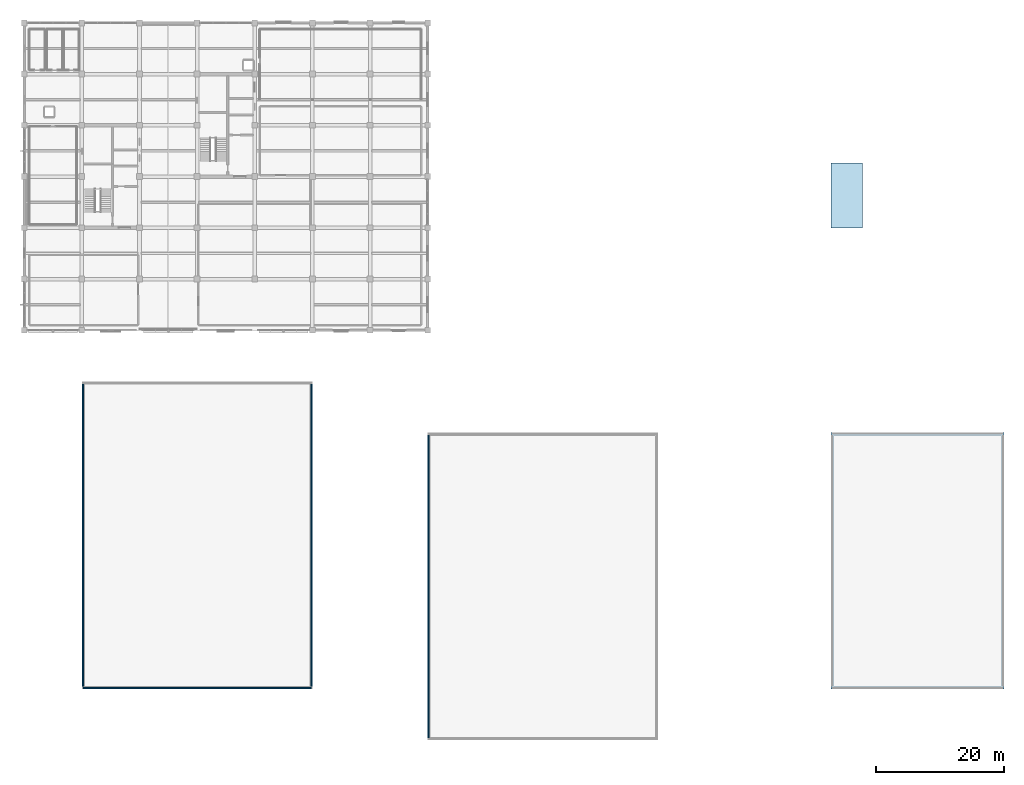
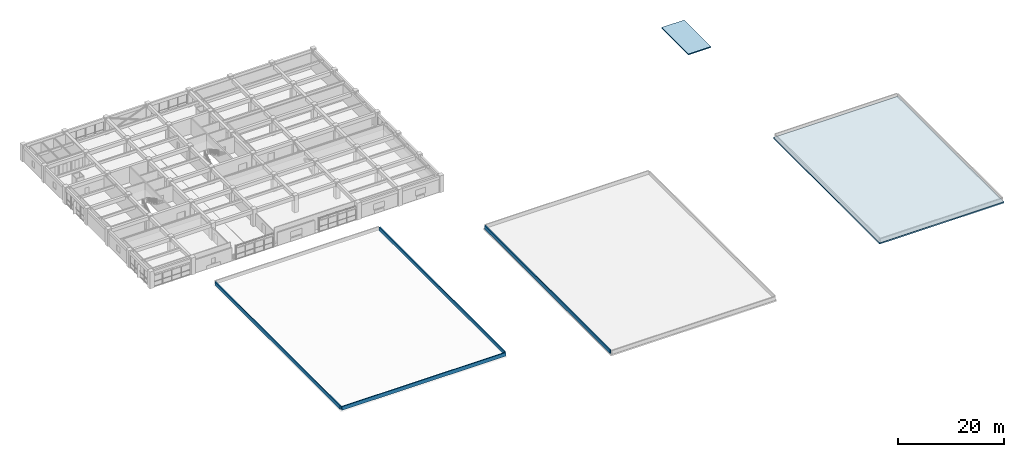
# One storey, part 13 of 23: 4 walls, 2 slabs.
"""IFC4 building model written with IfcOpenShell, lengths in metres."""

from ifc_helpers import new_model, si_unit, direction, frame, frame_2d, origin, place, context, subcontext, project, spatial, polyline, rectangle, outline, extrude, material, layer, layer_set, type_object, element, save


model = new_model("IFC4")

# Units and contexts
model_context = context("Model", 3, precision=1e-05, world=origin(), true_north=direction((0.0, 1.0)))
body_context = subcontext(model_context, "Body", "Model", "MODEL_VIEW")
ifc_project = project(units=[si_unit("LENGTHUNIT", "METRE"), si_unit("AREAUNIT", "SQUARE_METRE"), si_unit("VOLUMEUNIT", "CUBIC_METRE"), si_unit("PLANEANGLEUNIT", "RADIAN"), si_unit("MASSUNIT", "GRAM", prefix="KILO")], contexts=[model_context])

# Site, building, storey
site_placement = place(None, origin())
site = spatial("IfcSite", under=ifc_project, at=site_placement, CompositionType="ELEMENT")
building_placement = place(site_placement, origin())
building = spatial("IfcBuilding", under=site, at=building_placement, Name="Zaverband Oceanarium and Marine Research Institute", CompositionType="ELEMENT")
storey_placement = place(building_placement, frame((0.0, 0.0, 21.89990234375)))
storey = spatial("IfcBuildingStorey", under=building, at=storey_placement, Name="L05", CompositionType="ELEMENT", Elevation=21.89990234375)

# Slabs
ifc_material = material(Name="Concrete C40/50", Category="concrete")
ifc_layer_1 = layer(ifc_material, 0.219970703125, Name="Concrete C40/50")
ifc_layer_set_1 = layer_set([ifc_layer_1], Name="Concrete C40/50")
slab_type_1 = type_object("IfcSlabType", Name="SLB-CAP-220", PredefinedType="FLOOR", material=ifc_layer_set_1)
slab_1_placement = place(storey_placement, frame((0.0, 0.0, -0.52001953125)))
element("IfcSlab", 1, at=slab_1_placement, inside=storey, type_object=slab_type_1, Name="Overrun cap deck slab SLB-CAP-220", PredefinedType="FLOOR", context=body_context, shape_type="SweptSolid", body=[
    extrude(outline(polyline([(135.0, 80.0), (139.89990234375, 80.0), (139.89990234375, 90.10009765625), (135.0, 90.10009765625), (135.0, 80.0)])), origin(), (0.0, 0.0, 1.0), 0.22021484375),
])
ifc_layer_2 = layer(ifc_material, 0.300048828125, Name="Concrete C40/50")
ifc_layer_set_2 = layer_set([ifc_layer_2], Name="Concrete C40/50")
slab_type_2 = type_object("IfcSlabType", Name="SLB-ROOF-300", PredefinedType="ROOF", material=ifc_layer_set_2)
slab_2_placement = place(storey_placement, frame((0.0, 0.0, -0.2998046875)))
element("IfcSlab", 2, at=slab_2_placement, inside=storey, type_object=slab_type_2, Name="Roof deck slab SLB-ROOF-300", PredefinedType="ROOF", context=body_context, shape_type="SweptSolid", body=[
    extrude(outline(polyline([(135.0, 8.0), (162.0, 8.0), (162.0, 48.0), (135.0, 48.0), (135.0, 8.0)])), origin(), (0.0, 0.0, 1.0), 0.2998046875),
])

# Walls
ifc_layer_3 = layer(ifc_material, 0.22998046875, Name="Concrete C40/50")
ifc_layer_set_3 = layer_set([ifc_layer_3], Name="Concrete C40/50")
wall_type = type_object("IfcWallType", Name="PAR-230", PredefinedType="PARAPET", material=ifc_layer_set_3)
wall_placement = place(storey_placement, frame((18.199951171875, 8.14990234375, 2.400146484375), z_axis=(0.0, 0.0, 1.0), x_axis=(1.0, 0.0, 0.0)))
element("IfcWall", 3, at=wall_placement, inside=storey, type_object=wall_type, Name="Roof parapet upstand PAR-230", PredefinedType="PARAPET", context=body_context, shape_type="SweptSolid", body=[
    extrude(rectangle(XDim=35.60009765625, YDim=0.22998046875, at=frame_2d((17.800048828125, 0.0))), origin(), (0.0, 0.0, 1.0), 0.849853515625),
])
for number, where, z_axis, x_axis, name in (
    (4, (18.14990234375, 8.39990234375, 2.400146484375), (0.0, 0.0, 1.0), (0.0, 1.0, 0.0), "Roof parapet upstand PAR-230"),
    (5, (53.85009765625, 8.39990234375, 2.400146484375), (0.0, 0.0, 1.0), (0.0, 1.0, 0.0), "Roof parapet upstand PAR-230"),
    (6, (72.14990234375, 0.39990234375, 1.2001953125), (0.0, 0.0, 1.0), (0.0, 1.0, 0.0), "Roof parapet upstand PAR-230"),
):
    element("IfcWall", number, at=place(storey_placement, frame(where, z_axis=z_axis, x_axis=x_axis)), inside=storey, type_object=wall_type, Name=name, PredefinedType="PARAPET", context=body_context, shape_type="SweptSolid", body=[
        extrude(rectangle(XDim=47.2001953125, YDim=0.22998046875, at=frame_2d((23.60009765625, 0.0))), origin(), (0.0, 0.0, 1.0), 0.849853515625),
    ])

save(model, "model.ifc")
